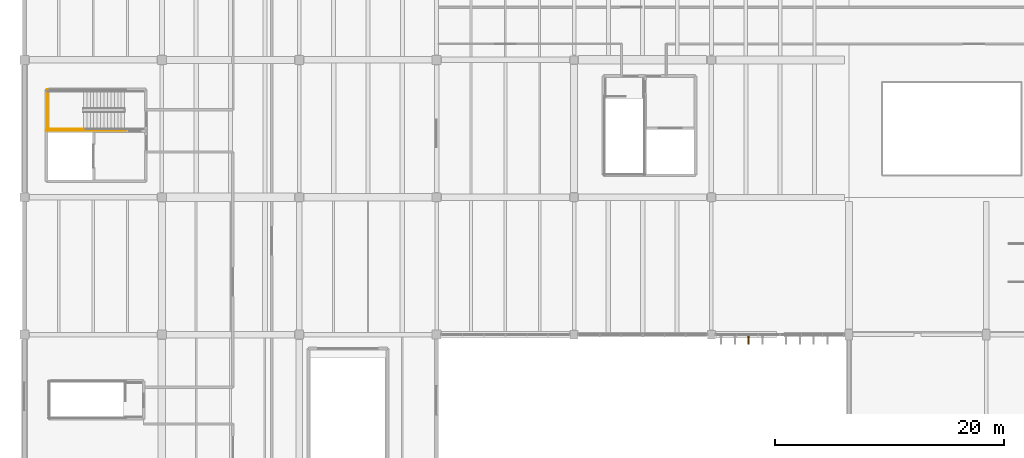
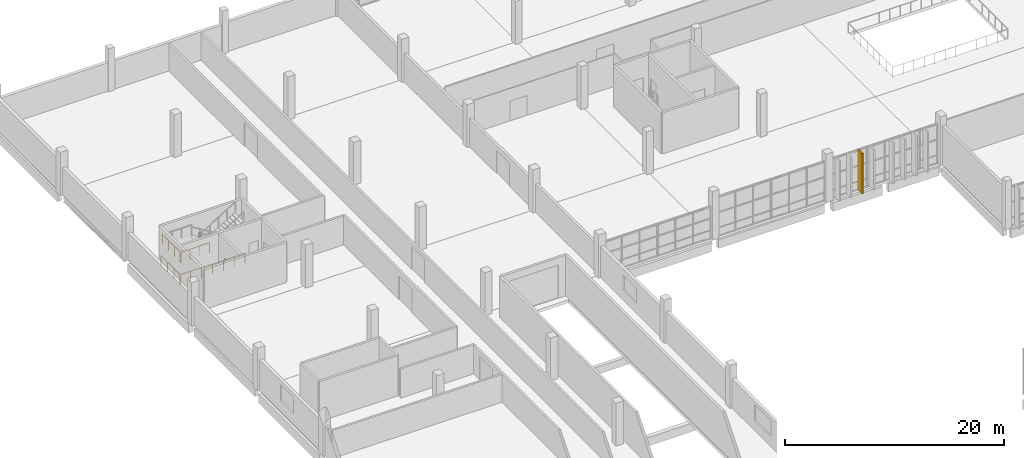
# One storey, part 96 of 112: 4 railings, 1 covering.
"""IFC4 building model written with IfcOpenShell, lengths in metres."""

import ifcopenshell
import ifcopenshell.guid

model = None  # the IFC model being written
_history = None  # IfcOwnerHistory: only IFC2X3 demands one
_inside = {}  # id of a spatial element -> (the spatial element, [elements in it])
_under = {}  # id of a project, library or spatial element -> (it, [spatial elements below it])
_declared = {}  # id of a project -> (the project, [libraries it declares])
_typed = {}  # id of a type object -> (the type object, [elements of that type])
_made_of = {}  # id of a material, layer set ... -> (it, [elements and type objects made of it])


def new_model(schema):
    """Start an empty IFC model of exactly this schema.

    Asked for "IFC4X3", IfcOpenShell would pick the latest addendum, in which some entities
    have other attributes; the version numbers below select the first issue.
    IFC2X3 requires an IfcOwnerHistory on every rooted entity: one is made here for all.
    """
    global model, _history
    if schema == "IFC4X3":
        model = ifcopenshell.file(schema_version=(4, 3, 0, 0))
    else:
        model = ifcopenshell.file(schema=schema)
    _inside.clear()
    _under.clear()
    _declared.clear()
    _typed.clear()
    _made_of.clear()
    _history = None
    if model.schema == "IFC2X3":
        org = make("IfcOrganization", Name="unknown")
        user = make(
            "IfcPersonAndOrganization",
            ThePerson=make("IfcPerson", FamilyName="unknown"),
            TheOrganization=org,
        )
        app = make(
            "IfcApplication",
            ApplicationDeveloper=org,
            Version="unknown",
            ApplicationFullName="unknown",
            ApplicationIdentifier="unknown",
        )
        _history = make(
            "IfcOwnerHistory",
            OwningUser=user,
            OwningApplication=app,
            ChangeAction="ADDED",
            CreationDate=0,
        )
    return model


def make(cls, **values):
    """One entity of the class cls with the attributes given. An attribute that is None is left unset."""
    return model.create_entity(
        cls, **{name: value for name, value in values.items() if value is not None}
    )


def rooted(cls, **values):
    """An entity with a GlobalId (a new one), such as an element, a storey or a relation."""
    return make(cls, GlobalId=ifcopenshell.guid.new(), OwnerHistory=_history, **values)


def si_unit(unit_type, name, prefix=None):
    """IfcSIUnit, for example si_unit("LENGTHUNIT", "METRE", prefix="MILLI")."""
    return make("IfcSIUnit", UnitType=unit_type, Prefix=prefix, Name=name)


def assignment(units):
    """IfcUnitAssignment: the units of a project."""
    return None if units is None else make("IfcUnitAssignment", Units=units)


def point(xyz):
    """IfcCartesianPoint."""
    return None if xyz is None else make("IfcCartesianPoint", Coordinates=xyz)


def direction(xyz):
    """IfcDirection."""
    return None if xyz is None else make("IfcDirection", DirectionRatios=xyz)


def frame(location, z_axis=None, x_axis=None):
    """IfcAxis2Placement3D, a coordinate frame: its origin and axes. An axis left out is left unset."""
    return make(
        "IfcAxis2Placement3D",
        Location=point(location),
        Axis=direction(z_axis),
        RefDirection=direction(x_axis),
    )


def frame_2d(location, x_axis=None):
    """IfcAxis2Placement2D, a coordinate frame in the plane: its origin and x axis."""
    return make(
        "IfcAxis2Placement2D", Location=point(location), RefDirection=direction(x_axis)
    )


def origin():
    """The frame at (0, 0, 0) with its axes left unset."""
    return frame((0.0, 0.0, 0.0))


def origin_2d():
    """The frame at (0, 0) in the plane with its x axis left unset."""
    return frame_2d((0.0, 0.0))


def place(relative_to, where):
    """IfcLocalPlacement: puts the frame where relative to a parent placement (None: the world)."""
    return make(
        "IfcLocalPlacement", PlacementRelTo=relative_to, RelativePlacement=where
    )


def context(
    kind, dimensions, precision=None, world=None, true_north=None, identifier=None
):
    """IfcGeometricRepresentationContext, for example the 3D "Model" context."""
    return make(
        "IfcGeometricRepresentationContext",
        ContextIdentifier=identifier,
        ContextType=kind,
        CoordinateSpaceDimension=dimensions,
        Precision=precision,
        WorldCoordinateSystem=world,
        TrueNorth=true_north,
    )


def subcontext(parent, identifier, kind, view, scale=None):
    """IfcGeometricRepresentationSubContext, for example "Body" below "Model"."""
    return make(
        "IfcGeometricRepresentationSubContext",
        ContextIdentifier=identifier,
        ContextType=kind,
        ParentContext=parent,
        TargetScale=scale,
        TargetView=view,
    )


def project(units=None, contexts=None):
    """IfcProject with its units and contexts."""
    return rooted(
        "IfcProject",
        Name="project",
        RepresentationContexts=contexts,
        UnitsInContext=assignment(units),
    )


def spatial(cls, under=None, at=None, **own):
    """A site, building, storey or space (cls), placed at a placement, below another one or the project."""
    s = rooted(cls, ObjectPlacement=at, **own)
    if under is not None:
        _under.setdefault(under.id(), (under, []))[1].append(s)
    return s


def profile(cls, at=None, kind="AREA", **sizes):
    """A parametric profile (cls). Its sizes go by their IFC names, for example OverallWidth=200.0."""
    return make(cls, ProfileType=kind, Position=at, **sizes)


def rectangle(**sizes):
    """IfcRectangleProfileDef."""
    return profile("IfcRectangleProfileDef", **sizes)


def circle(**sizes):
    """IfcCircleProfileDef."""
    return profile("IfcCircleProfileDef", **sizes)


def extrude(swept, where, along, depth):
    """IfcExtrudedAreaSolid: the profile swept, set in the frame where, extruded along a direction by depth."""
    return make(
        "IfcExtrudedAreaSolid",
        SweptArea=swept,
        Position=where,
        ExtrudedDirection=direction(along),
        Depth=depth,
    )


def shape(context_of_items, identifier, shape_type, items):
    """IfcShapeRepresentation: the items that make up one representation, for example the "Body"."""
    return make(
        "IfcShapeRepresentation",
        ContextOfItems=context_of_items,
        RepresentationIdentifier=identifier,
        RepresentationType=shape_type,
        Items=items,
    )


def material(Name=None, Category=None):
    """IfcMaterial."""
    return make("IfcMaterial", Name=Name, Category=Category)


def layer(
    of_material, thickness, ventilated=None, Name=None, Category=None, Priority=None
):
    """IfcMaterialLayer: one layer of a wall or slab, of a material (None: an air gap)."""
    return make(
        "IfcMaterialLayer",
        Material=of_material,
        LayerThickness=thickness,
        IsVentilated=ventilated,
        Name=Name,
        Category=Category,
        Priority=Priority,
    )


def layer_set(layers, Name=None):
    """IfcMaterialLayerSet."""
    return make("IfcMaterialLayerSet", MaterialLayers=layers, LayerSetName=Name)


def made_of(thing, what):
    """Note that an element or type object is made of a material, layer set ...; save() writes the relation."""
    if what is not None:
        _made_of.setdefault(what.id(), (what, []))[1].append(thing)
    return thing


def type_object(cls, material=None, **own):
    """A type object (cls), such as IfcWallType, which elements share."""
    return made_of(rooted(cls, **own), material)


def element(
    cls,
    number,
    at=None,
    inside=None,
    cuts=None,
    type_object=None,
    material=None,
    context=None,
    identifier="Body",
    shape_type=None,
    held_by="IfcProductDefinitionShape",
    body=None,
    shapes=None,
    **own,
):
    """One element of the class cls, such as IfcWall. Its Tag is "e" and its number.

    at: its placement. inside: the storey or other place that contains it. cuts: it is an
    opening in that element (IfcRelVoidsElement). A single representation is given by context,
    identifier, shape_type and body (its items); several are given by shapes. held_by: the class
    of the entity that holds the representations. save() writes the other relations.
    """
    e = rooted(cls, Tag="e%d" % number, ObjectPlacement=at, **own)
    if body is not None:
        shapes = [shape(context, identifier, shape_type, body)]
    if shapes is not None:
        e.Representation = make(held_by, Representations=shapes)
    if inside is not None:
        _inside.setdefault(inside.id(), (inside, []))[1].append(e)
    if cuts is not None:
        rooted(
            "IfcRelVoidsElement", RelatingBuildingElement=cuts, RelatedOpeningElement=e
        )
    if type_object is not None:
        _typed.setdefault(type_object.id(), (type_object, []))[1].append(e)
    return made_of(e, material)


def aggregate(whole, parts):
    """IfcRelAggregates: a whole, such as a stair, and the parts it consists of."""
    return rooted("IfcRelAggregates", RelatingObject=whole, RelatedObjects=parts)


def save(model, path):
    """Write the relations noted so far, then the file.

    IfcRelAggregates (storeys below a building ...), IfcRelContainedInSpatialStructure (elements
    in a storey), IfcRelDefinesByType, IfcRelAssociatesMaterial and IfcRelDeclares: one each for
    every whole, place, type object, material and project.
    """
    for whole, parts in _under.values():
        aggregate(whole, parts)
    for where, things in _inside.values():
        rooted(
            "IfcRelContainedInSpatialStructure",
            RelatedElements=things,
            RelatingStructure=where,
        )
    for kind, things in _typed.values():
        rooted("IfcRelDefinesByType", RelatedObjects=things, RelatingType=kind)
    for what, things in _made_of.values():
        rooted("IfcRelAssociatesMaterial", RelatedObjects=things, RelatingMaterial=what)
    for by, libraries in _declared.values():
        rooted("IfcRelDeclares", RelatingContext=by, RelatedDefinitions=libraries)
    model.write(path)


model = new_model("IFC4")

# Units and contexts
model_context = context("Model", 3, precision=1e-05, world=origin(), true_north=direction((0.0, 1.0)))
body_context = subcontext(model_context, "Body", "Model", "MODEL_VIEW")
ifc_project = project(units=[si_unit("LENGTHUNIT", "METRE"), si_unit("AREAUNIT", "SQUARE_METRE"), si_unit("VOLUMEUNIT", "CUBIC_METRE"), si_unit("PLANEANGLEUNIT", "RADIAN"), si_unit("MASSUNIT", "GRAM", prefix="KILO")], contexts=[model_context])

# Site, building, storey
site_placement = place(None, origin())
site = spatial("IfcSite", under=ifc_project, at=site_placement, CompositionType="ELEMENT")
building_placement = place(site_placement, origin())
building = spatial("IfcBuilding", under=site, at=building_placement, Name="Kamomehara Wholesale Market", CompositionType="ELEMENT")
storey_placement = place(building_placement, frame((0.0, 0.0, 6.60009765625)))
storey = spatial("IfcBuildingStorey", under=building, at=storey_placement, Name="L01", CompositionType="ELEMENT", Elevation=6.60009765625)

# Covering
ifc_material_1 = material(Name="Anodised aluminium 6063-T5 Spectrum Red", Category="aluminium")
ifc_layer = layer(ifc_material_1, 0.134033203125)
ifc_layer_set = layer_set([ifc_layer], Name="Anodised aluminium 6063-T5 Spectrum Red")
covering_type = type_object("IfcCoveringType", Name="COV-CLD-01", PredefinedType="CLADDING", material=ifc_layer_set)
covering_placement = place(storey_placement, frame((63.25, 107.594970703125, 0.0), z_axis=(0.0, 0.0, 1.0), x_axis=(1.0, 0.0, 0.0)))
element("IfcCovering", 1, at=covering_placement, inside=storey, type_object=covering_type, Name="Polychrome spectrum fin S 15", PredefinedType="CLADDING", context=body_context, shape_type="SweptSolid", body=[
    extrude(rectangle(XDim=0.134033203125, YDim=0.85009765625, at=origin_2d()), origin(), (0.0, 0.0, 1.0), 4.5),
])

# Railings
ifc_material_2 = material(Name="Steel SN400B", Category="steel")
railing_type = type_object("IfcRailingType", Name="RAL-INT-1100", PredefinedType="BALUSTRADE", material=ifc_material_2)
railing_1_placement = place(storey_placement, frame((5.14990234375, 125.949951171875, 2.39990234375)))
element("IfcRailing", 2, at=railing_1_placement, inside=storey, type_object=railing_type, Name="L01 ST-04 stair guard 4", PredefinedType="BALUSTRADE", context=body_context, shape_type="SweptSolid", body=[
    extrude(circle(Radius=0.02392578125, at=origin_2d()), frame((0.0, 0.0, 1.09619140625), z_axis=(-1.0, 0.0, 0.0), x_axis=(0.0, -1.0, 0.0)), (0.0, 0.0, 1.0), 3.099853515625),
    extrude(circle(Radius=0.02099609375, at=origin_2d()), origin(), (0.0, 0.0, 1.0), 1.072021484375),
    extrude(circle(Radius=0.02099609375, at=origin_2d()), frame((-1.033203125, 0.0, 0.0)), (0.0, 0.0, 1.0), 1.072021484375),
    extrude(circle(Radius=0.02099609375, at=origin_2d()), frame((-2.066650390625, 0.0, 0.0)), (0.0, 0.0, 1.0), 1.072021484375),
    extrude(circle(Radius=0.02099609375, at=origin_2d()), frame((-3.099853515625, 0.0, 0.0)), (0.0, 0.0, 1.0), 1.072021484375),
])
railing_2_placement = place(storey_placement, frame((2.10009765625, 129.300048828125, 2.39990234375)))
element("IfcRailing", 3, at=railing_2_placement, inside=storey, type_object=railing_type, Name="L01 ST-04 stair guard 5", PredefinedType="BALUSTRADE", context=body_context, shape_type="SweptSolid", body=[
    extrude(circle(Radius=0.02392578125, at=origin_2d()), frame((0.0, 0.0, 1.09619140625), z_axis=(0.0, -1.0, 0.0), x_axis=(1.0, 0.0, 0.0)), (0.0, 0.0, 1.0), 3.400146484375),
    extrude(circle(Radius=0.02099609375, at=origin_2d()), origin(), (0.0, 0.0, 1.0), 1.072021484375),
    extrude(circle(Radius=0.02099609375, at=origin_2d()), frame((0.0, -1.13330078125, 0.0)), (0.0, 0.0, 1.0), 1.072021484375),
    extrude(circle(Radius=0.02099609375, at=origin_2d()), frame((0.0, -2.266845703125, 0.0)), (0.0, 0.0, 1.0), 1.072021484375),
    extrude(circle(Radius=0.02099609375, at=origin_2d()), frame((0.0, -3.400146484375, 0.0)), (0.0, 0.0, 1.0), 1.072021484375),
])
railing_3_placement = place(storey_placement, frame((8.85009765625, 125.85009765625, 0.0)))
element("IfcRailing", 4, at=railing_3_placement, inside=storey, type_object=railing_type, Name="L01 ST-04 stair guard 11", PredefinedType="BALUSTRADE", context=body_context, shape_type="SweptSolid", body=[
    extrude(circle(Radius=0.02392578125, at=origin_2d()), frame((0.0, 0.0, 1.09619140625), z_axis=(-1.0, 0.0, 0.0), x_axis=(0.0, -1.0, 0.0)), (0.0, 0.0, 1.0), 6.900146484375),
    extrude(circle(Radius=0.02099609375, at=origin_2d()), origin(), (0.0, 0.0, 1.0), 1.072021484375),
    extrude(circle(Radius=0.02099609375, at=origin_2d()), frame((-1.14990234375, 0.0, 0.0)), (0.0, 0.0, 1.0), 1.072021484375),
    extrude(circle(Radius=0.02099609375, at=origin_2d()), frame((-2.300048828125, 0.0, 0.0)), (0.0, 0.0, 1.0), 1.072021484375),
    extrude(circle(Radius=0.02099609375, at=origin_2d()), frame((-3.4501953125, 0.0, 0.0)), (0.0, 0.0, 1.0), 1.072021484375),
    extrude(circle(Radius=0.02099609375, at=origin_2d()), frame((-4.60009765625, 0.0, 0.0)), (0.0, 0.0, 1.0), 1.072021484375),
    extrude(circle(Radius=0.02099609375, at=origin_2d()), frame((-5.75, 0.0, 0.0)), (0.0, 0.0, 1.0), 1.072021484375),
    extrude(circle(Radius=0.02099609375, at=origin_2d()), frame((-6.900146484375, 0.0, 0.0)), (0.0, 0.0, 1.0), 1.072021484375),
])
railing_4_placement = place(storey_placement, frame((2.0, 129.39990234375, 0.0)))
element("IfcRailing", 5, at=railing_4_placement, inside=storey, type_object=railing_type, Name="L01 ST-04 stair guard 12", PredefinedType="BALUSTRADE", context=body_context, shape_type="SweptSolid", body=[
    extrude(circle(Radius=0.02392578125, at=origin_2d()), frame((0.0, 0.0, 1.09619140625), z_axis=(0.0, -1.0, 0.0), x_axis=(1.0, 0.0, 0.0)), (0.0, 0.0, 1.0), 3.599853515625),
    extrude(circle(Radius=0.02099609375, at=origin_2d()), origin(), (0.0, 0.0, 1.0), 1.072021484375),
    extrude(circle(Radius=0.02099609375, at=origin_2d()), frame((0.0, -1.199951171875, 0.0)), (0.0, 0.0, 1.0), 1.072021484375),
    extrude(circle(Radius=0.02099609375, at=origin_2d()), frame((0.0, -2.39990234375, 0.0)), (0.0, 0.0, 1.0), 1.072021484375),
    extrude(circle(Radius=0.02099609375, at=origin_2d()), frame((0.0, -3.599853515625, 0.0)), (0.0, 0.0, 1.0), 1.072021484375),
])

save(model, "model.ifc")
